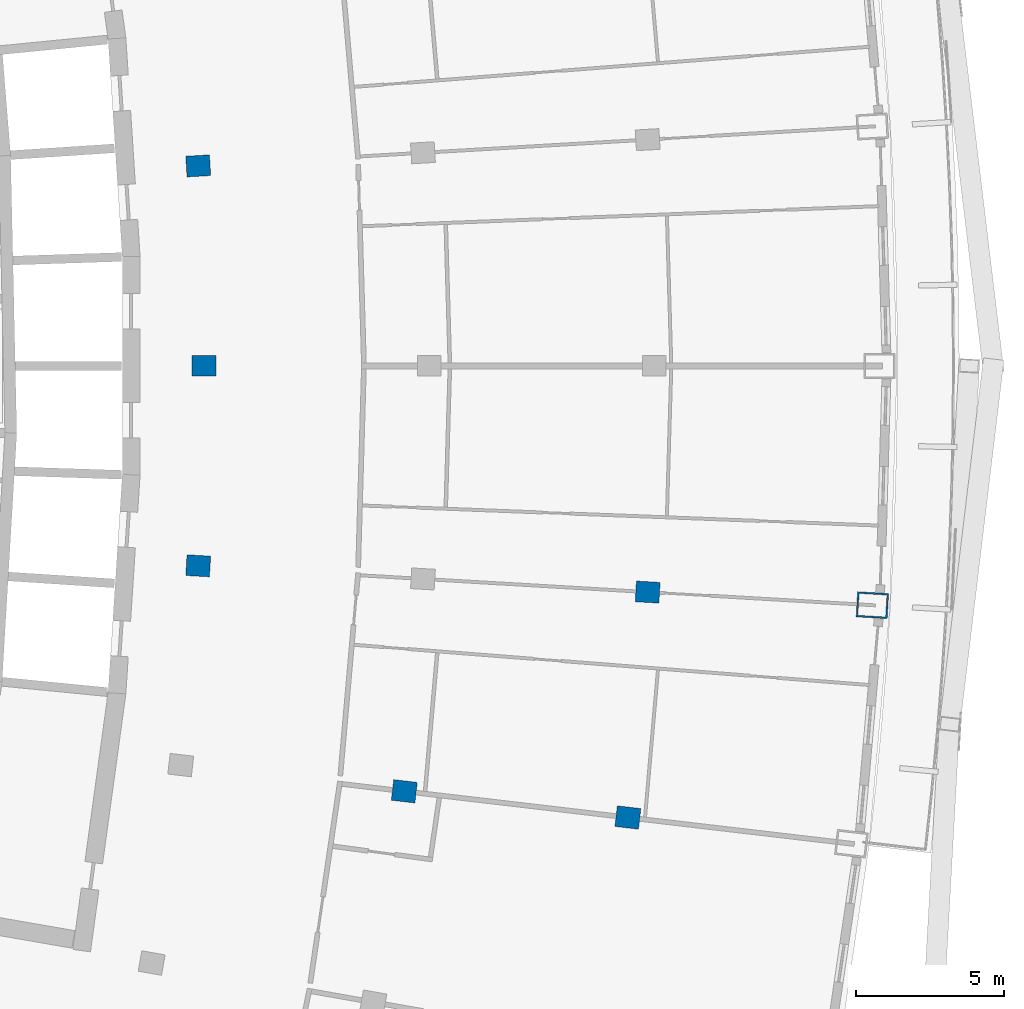
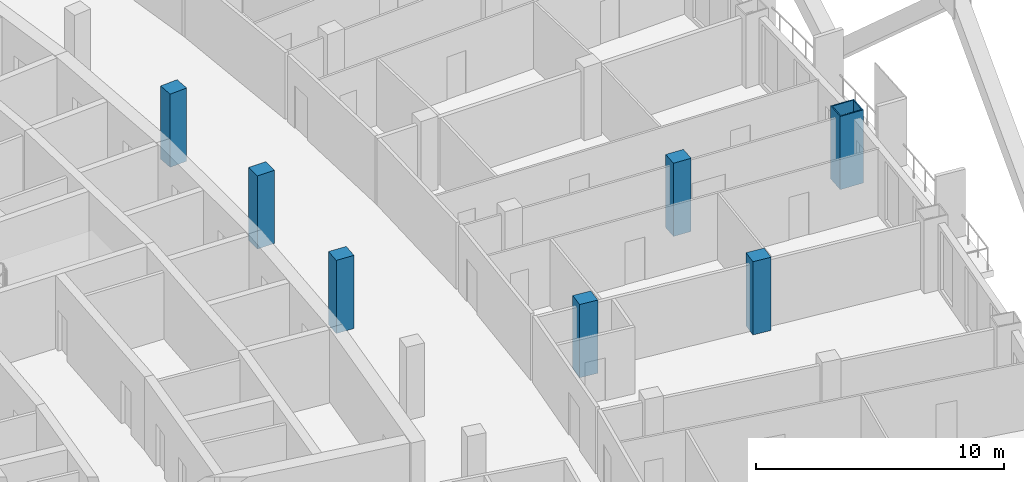
# One storey, part 4 of 20: 7 columns.
"""IFC4 building model written with IfcOpenShell, lengths in metres."""

from ifc_helpers import new_model, si_unit, direction, frame, origin, origin_2d, place, context, subcontext, project, spatial, rectangle, hollow_rectangle, extrude, material, material_profile, profile_set, type_object, element, save


model = new_model("IFC4")

# Units and contexts
model_context = context("Model", 3, precision=1e-05, world=origin(), true_north=direction((0.0, 1.0)))
body_context = subcontext(model_context, "Body", "Model", "MODEL_VIEW")
ifc_project = project(units=[si_unit("LENGTHUNIT", "METRE"), si_unit("AREAUNIT", "SQUARE_METRE"), si_unit("VOLUMEUNIT", "CUBIC_METRE"), si_unit("PLANEANGLEUNIT", "RADIAN"), si_unit("MASSUNIT", "GRAM", prefix="KILO")], contexts=[model_context])

# Site, building, storey
site_placement = place(None, origin())
site = spatial("IfcSite", under=ifc_project, at=site_placement, CompositionType="ELEMENT")
building_placement = place(site_placement, origin())
building = spatial("IfcBuilding", under=site, at=building_placement, Name="Alderwake Tower", CompositionType="ELEMENT")
storey_placement = place(building_placement, frame((0.0, 0.0, 189.199951171875)))
storey = spatial("IfcBuildingStorey", under=building, at=storey_placement, Name="L46", CompositionType="ELEMENT", Elevation=189.199951171875)

# Columns
ifc_material_1 = material(Name="Concrete C70/85", Category="concrete")
ifc_material_profile_1 = material_profile(ifc_material_1, rectangle(XDim=0.699951171875, YDim=0.800048828125, at=origin_2d()), Name="RC 800X700")
ifc_profile_set_1 = profile_set([ifc_material_profile_1], Name="Concrete C70/85")
column_type_1 = type_object("IfcColumnType", Name="Interior column Z4", PredefinedType="COLUMN", material=ifc_profile_set_1)
for number, where, z_axis, x_axis, name in (
    (1, (42.56103515625, 46.635986328125, 0.0), (0.0, 0.0, 1.0), (0.116402054316, 0.993202175668, 0.0), "Column R05-C3"),
    (2, (50.109619140625, 45.751220703125, 0.0), (0.0, 0.0, 1.0), (0.116402054316, 0.993202175668, 0.0), "Column R05-C4"),
    (3, (35.60302734375, 54.248779296875, 0.0), (0.0, 0.0, 1.0), (0.058301061284, 0.998299046505, 0.0), "Column R06-C2"),
    (4, (50.777099609375, 53.36279296875, 0.0), (0.0, 0.0, 1.0), (0.058299318924, 0.998299148258, 0.0), "Column R06-C4"),
    (5, (35.800048828125, 61.0, 0.0), (0.0, 0.0, 1.0), (0.0, 1.0, 0.0), "Column R07-C2"),
    (6, (35.60302734375, 67.751220703125, 0.0), (0.0, 0.0, 1.0), (-0.058301061284, 0.998299046505, 0.0), "Column R08-C2"),
):
    element("IfcColumn", number, at=place(storey_placement, frame(where, z_axis=z_axis, x_axis=x_axis)), inside=storey, type_object=column_type_1, Name=name, PredefinedType="COLUMN", context=body_context, shape_type="SweptSolid", body=[
        extrude(rectangle(XDim=0.699951171875, YDim=0.800048828125, at=origin_2d()), origin(), (0.0, 0.0, 1.0), 3.60009765625),
    ])
ifc_material_2 = material(Name="Steel ASTM A572 Grade 50 concrete filled C70/85", Category="concrete")
ifc_material_profile_2 = material_profile(ifc_material_2, hollow_rectangle(XDim=0.85009765625, YDim=1.050048828125, WallThickness=0.054931640625, at=origin_2d()), Name="BOX 1050X850X55")
ifc_profile_set_2 = profile_set([ifc_material_profile_2], Name="Steel ASTM A572 Grade 50 concrete filled C70/85")
column_type_2 = type_object("IfcColumnType", Name="Perimeter column Z4", PredefinedType="COLUMN", material=ifc_profile_set_2)
column_placement = place(storey_placement, frame((58.3642578125, 52.919677734375, 0.0), z_axis=(0.0, 0.0, 1.0), x_axis=(0.058299318924, 0.998299148258, 0.0)))
element("IfcColumn", 7, at=column_placement, inside=storey, type_object=column_type_2, Name="Column R06-C5", PredefinedType="COLUMN", context=body_context, shape_type="SweptSolid", body=[
    extrude(hollow_rectangle(XDim=0.85009765625, YDim=1.050048828125, WallThickness=0.054931640625, at=origin_2d()), origin(), (0.0, 0.0, 1.0), 3.60009765625),
])

save(model, "model.ifc")
